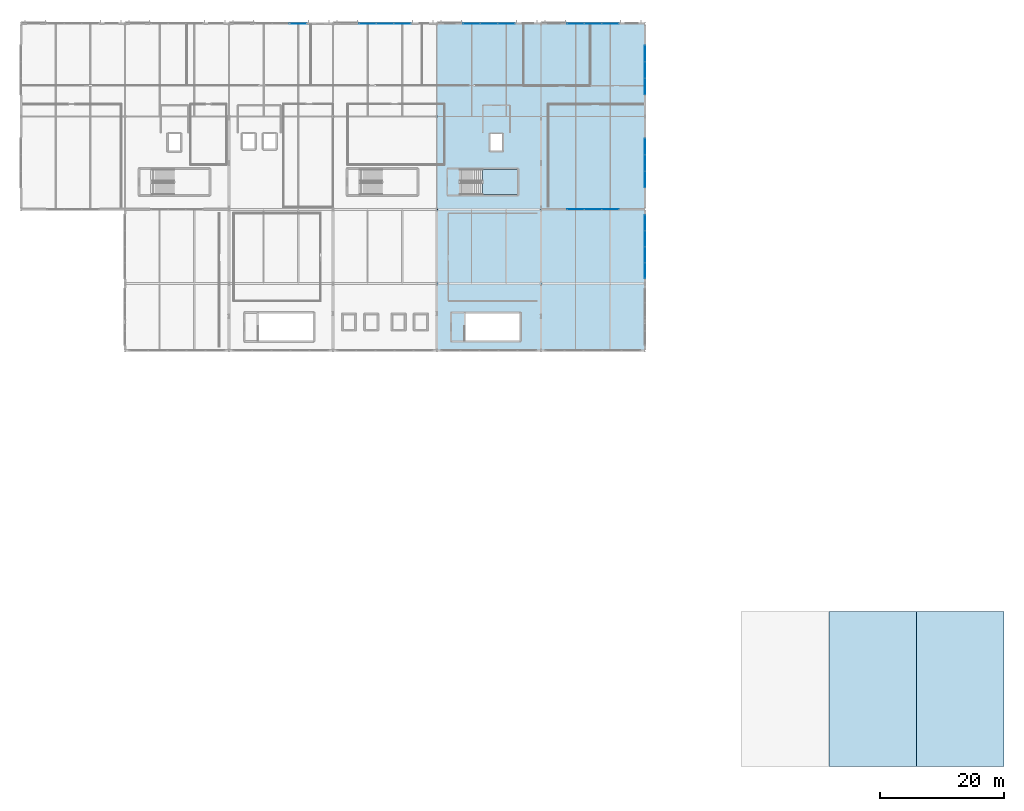
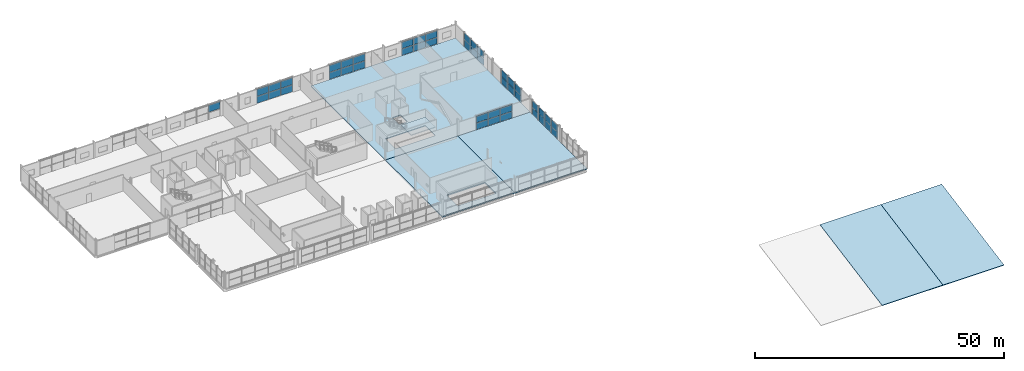
# One storey, part 28 of 39: 45 plates, 6 slabs, 9 elements without a shape of their own.
"""IFC4 building model written with IfcOpenShell, lengths in metres."""

from ifc_helpers import new_model, si_unit, direction, frame, origin, origin_2d, place, context, subcontext, project, spatial, polyline, rectangle, outline, extrude, material, layer, layer_set, type_object, element, aggregate, save


model = new_model("IFC4")

# Units and contexts
model_context = context("Model", 3, precision=1e-05, world=origin(), true_north=direction((0.0, 1.0)))
body_context = subcontext(model_context, "Body", "Model", "MODEL_VIEW")
ifc_project = project(units=[si_unit("LENGTHUNIT", "METRE"), si_unit("AREAUNIT", "SQUARE_METRE"), si_unit("VOLUMEUNIT", "CUBIC_METRE"), si_unit("PLANEANGLEUNIT", "RADIAN"), si_unit("MASSUNIT", "GRAM", prefix="KILO")], contexts=[model_context])

# Site, building, storey
site_placement = place(None, origin())
site = spatial("IfcSite", under=ifc_project, at=site_placement, CompositionType="ELEMENT")
building_placement = place(site_placement, origin())
building = spatial("IfcBuilding", under=site, at=building_placement, Name="Kimbaza Rail Terminus", CompositionType="ELEMENT")
storey_placement = place(building_placement, frame((0.0, 0.0, 16.800048828125)))
storey = spatial("IfcBuildingStorey", under=building, at=storey_placement, Name="L03", CompositionType="ELEMENT", Elevation=16.800048828125)

# Curtain wall, plates
ifc_material_1 = material(Name="Anodised aluminium framing and solar low-E glazing", Category="aluminium")
curtain_wall_type_1 = type_object("IfcCurtainWallType", Name="ARC-CW-BRG", PredefinedType="USERDEFINED", material=ifc_material_1)
curtain_wall_1_placement = place(storey_placement, origin())
curtain_wall_1 = element("IfcCurtainWall", 1, at=curtain_wall_1_placement, inside=storey, type_object=curtain_wall_type_1, Name="Over-Track Footbridge E Panoramic Curtain Wall 2", ObjectType="UNITISED CURTAIN WALL", PredefinedType="USERDEFINED")
ifc_material_2 = material(Name="Solar-control double low-E glazing", Category="glass")
ifc_layer_1 = layer(ifc_material_2, 0.030029296875)
ifc_layer_set_1 = layer_set([ifc_layer_1], Name="Solar-control double low-E glazing")
plate_type_1 = type_object("IfcPlateType", Name="ARC-CWP-03", PredefinedType="CURTAIN_PANEL", material=ifc_layer_set_1)
plate_1_placement = place(storey_placement, frame((156.0, 93.109619140625, 0.06787109375), z_axis=(0.0, 0.0, 1.0), x_axis=(0.0, 1.0, 0.0)))
plate_1 = element("IfcPlate", 2, at=plate_1_placement, type_object=plate_type_1, Name="CW-03 panel 1.1", PredefinedType="CURTAIN_PANEL", context=body_context, shape_type="SweptSolid", body=[
    extrude(rectangle(XDim=2.48291015625, YDim=0.030029296875, at=origin_2d()), origin(), (0.0, 0.0, 1.0), 1.623046875),
])
plate_2_placement = place(storey_placement, frame((156.0, 93.109619140625, 1.759033203125), z_axis=(0.0, 0.0, 1.0), x_axis=(0.0, 1.0, 0.0)))
plate_2 = element("IfcPlate", 3, at=plate_2_placement, type_object=plate_type_1, Name="CW-03 panel 1.2", PredefinedType="CURTAIN_PANEL", context=body_context, shape_type="SweptSolid", body=[
    extrude(rectangle(XDim=2.48291015625, YDim=0.030029296875, at=origin_2d()), origin(), (0.0, 0.0, 1.0), 1.623046875),
])
plate_3_placement = place(storey_placement, frame((156.0, 95.677490234375, 0.06787109375), z_axis=(0.0, 0.0, 1.0), x_axis=(0.0, 1.0, 0.0)))
plate_3 = element("IfcPlate", 4, at=plate_3_placement, type_object=plate_type_1, Name="CW-03 panel 2.1", PredefinedType="CURTAIN_PANEL", context=body_context, shape_type="SweptSolid", body=[
    extrude(rectangle(XDim=2.51708984375, YDim=0.030029296875, at=origin_2d()), origin(), (0.0, 0.0, 1.0), 1.623046875),
])
plate_4_placement = place(storey_placement, frame((156.0, 95.677490234375, 1.759033203125), z_axis=(0.0, 0.0, 1.0), x_axis=(0.0, 1.0, 0.0)))
plate_4 = element("IfcPlate", 5, at=plate_4_placement, type_object=plate_type_1, Name="CW-03 panel 2.2", PredefinedType="CURTAIN_PANEL", context=body_context, shape_type="SweptSolid", body=[
    extrude(rectangle(XDim=2.51708984375, YDim=0.030029296875, at=origin_2d()), origin(), (0.0, 0.0, 1.0), 1.623046875),
])
plate_5_placement = place(storey_placement, frame((156.0, 98.262451171875, 0.06787109375), z_axis=(0.0, 0.0, 1.0), x_axis=(0.0, 1.0, 0.0)))
plate_5 = element("IfcPlate", 6, at=plate_5_placement, type_object=plate_type_1, Name="CW-03 panel 3.1", PredefinedType="CURTAIN_PANEL", context=body_context, shape_type="SweptSolid", body=[
    extrude(rectangle(XDim=2.51708984375, YDim=0.030029296875, at=origin_2d()), origin(), (0.0, 0.0, 1.0), 1.623046875),
])
plate_6_placement = place(storey_placement, frame((156.0, 98.262451171875, 1.759033203125), z_axis=(0.0, 0.0, 1.0), x_axis=(0.0, 1.0, 0.0)))
plate_6 = element("IfcPlate", 7, at=plate_6_placement, type_object=plate_type_1, Name="CW-03 panel 3.2", PredefinedType="CURTAIN_PANEL", context=body_context, shape_type="SweptSolid", body=[
    extrude(rectangle(XDim=2.51708984375, YDim=0.030029296875, at=origin_2d()), origin(), (0.0, 0.0, 1.0), 1.623046875),
])
plate_7_placement = place(storey_placement, frame((156.0, 100.83056640625, 0.06787109375), z_axis=(0.0, 0.0, 1.0), x_axis=(0.0, 1.0, 0.0)))
plate_7 = element("IfcPlate", 8, at=plate_7_placement, type_object=plate_type_1, Name="CW-03 panel 4.1", PredefinedType="CURTAIN_PANEL", context=body_context, shape_type="SweptSolid", body=[
    extrude(rectangle(XDim=2.48291015625, YDim=0.030029296875, at=origin_2d()), origin(), (0.0, 0.0, 1.0), 1.623046875),
])
plate_8_placement = place(storey_placement, frame((156.0, 100.83056640625, 1.759033203125), z_axis=(0.0, 0.0, 1.0), x_axis=(0.0, 1.0, 0.0)))
plate_8 = element("IfcPlate", 9, at=plate_8_placement, type_object=plate_type_1, Name="CW-03 panel 4.2", PredefinedType="CURTAIN_PANEL", context=body_context, shape_type="SweptSolid", body=[
    extrude(rectangle(XDim=2.48291015625, YDim=0.030029296875, at=origin_2d()), origin(), (0.0, 0.0, 1.0), 1.623046875),
])
aggregate(curtain_wall_1, [plate_1, plate_2, plate_3, plate_4, plate_5, plate_6, plate_7, plate_8])

# Curtain wall, plate
ifc_material_3 = material(Name="Anodised aluminium framing and solar low-E glazing", Category="aluminium")
curtain_wall_type_2 = type_object("IfcCurtainWallType", Name="ARC-CW-OP2", PredefinedType="USERDEFINED", material=ifc_material_3)
curtain_wall_2_placement = place(storey_placement, origin())
curtain_wall_2 = element("IfcCurtainWall", 10, at=curtain_wall_2_placement, inside=storey, type_object=curtain_wall_type_2, Name="Operations North Curtain Wall L03 Bay 3", ObjectType="STICK CURTAIN WALL", PredefinedType="USERDEFINED")
ifc_material_4 = material(Name="Solar-control double low-E glazing", Category="glass")
ifc_layer_2 = layer(ifc_material_4, 0.02294921875)
ifc_layer_set_2 = layer_set([ifc_layer_2], Name="Solar-control double low-E glazing")
plate_type_2 = type_object("IfcPlateType", Name="ARC-CWP-06", PredefinedType="CURTAIN_PANEL", material=ifc_layer_set_2)
plate_9_placement = place(storey_placement, frame((99.985595703125, 133.0, 1.83154296875), z_axis=(0.0, 0.0, 1.0), x_axis=(1.0, 0.0, 0.0)))
plate_9 = element("IfcPlate", 11, at=plate_9_placement, type_object=plate_type_2, Name="CW-06 panel 3.2", PredefinedType="CURTAIN_PANEL", context=body_context, shape_type="SweptSolid", body=[
    extrude(rectangle(XDim=2.712890625, YDim=0.02294921875, at=origin_2d()), origin(), (0.0, 0.0, 1.0), 1.715576171875),
])
aggregate(curtain_wall_2, [plate_9])

# Curtain wall, plates
curtain_wall_3_placement = place(storey_placement, origin())
curtain_wall_3 = element("IfcCurtainWall", 12, at=curtain_wall_3_placement, inside=storey, type_object=curtain_wall_type_2, Name="Operations North Curtain Wall L03 Bay 4", ObjectType="STICK CURTAIN WALL", PredefinedType="USERDEFINED")
plate_10_placement = place(storey_placement, frame((111.214599609375, 133.0, 0.05810546875), z_axis=(0.0, 0.0, 1.0), x_axis=(1.0, 0.0, 0.0)))
plate_10 = element("IfcPlate", 13, at=plate_10_placement, type_object=plate_type_2, Name="CW-06 panel 1.1", PredefinedType="CURTAIN_PANEL", context=body_context, shape_type="SweptSolid", body=[
    extrude(rectangle(XDim=2.712890625, YDim=0.02294921875, at=origin_2d()), origin(), (0.0, 0.0, 1.0), 1.715576171875),
])
plate_11_placement = place(storey_placement, frame((111.214599609375, 133.0, 1.83154296875), z_axis=(0.0, 0.0, 1.0), x_axis=(1.0, 0.0, 0.0)))
plate_11 = element("IfcPlate", 14, at=plate_11_placement, type_object=plate_type_2, Name="CW-06 panel 1.2", PredefinedType="CURTAIN_PANEL", context=body_context, shape_type="SweptSolid", body=[
    extrude(rectangle(XDim=2.712890625, YDim=0.02294921875, at=origin_2d()), origin(), (0.0, 0.0, 1.0), 1.715576171875),
])
plate_12_placement = place(storey_placement, frame((114.0, 133.0, 0.05810546875), z_axis=(0.0, 0.0, 1.0), x_axis=(1.0, 0.0, 0.0)))
plate_12 = element("IfcPlate", 15, at=plate_12_placement, type_object=plate_type_2, Name="CW-06 panel 2.1", PredefinedType="CURTAIN_PANEL", context=body_context, shape_type="SweptSolid", body=[
    extrude(rectangle(XDim=2.741943359375, YDim=0.02294921875, at=origin_2d()), origin(), (0.0, 0.0, 1.0), 1.715576171875),
])
plate_13_placement = place(storey_placement, frame((114.0, 133.0, 1.83154296875), z_axis=(0.0, 0.0, 1.0), x_axis=(1.0, 0.0, 0.0)))
plate_13 = element("IfcPlate", 16, at=plate_13_placement, type_object=plate_type_2, Name="CW-06 panel 2.2", PredefinedType="CURTAIN_PANEL", context=body_context, shape_type="SweptSolid", body=[
    extrude(rectangle(XDim=2.741943359375, YDim=0.02294921875, at=origin_2d()), origin(), (0.0, 0.0, 1.0), 1.715576171875),
])
plate_14_placement = place(storey_placement, frame((116.785400390625, 133.0, 0.05810546875), z_axis=(0.0, 0.0, 1.0), x_axis=(1.0, 0.0, 0.0)))
plate_14 = element("IfcPlate", 17, at=plate_14_placement, type_object=plate_type_2, Name="CW-06 panel 3.1", PredefinedType="CURTAIN_PANEL", context=body_context, shape_type="SweptSolid", body=[
    extrude(rectangle(XDim=2.712890625, YDim=0.02294921875, at=origin_2d()), origin(), (0.0, 0.0, 1.0), 1.715576171875),
])
plate_15_placement = place(storey_placement, frame((116.785400390625, 133.0, 1.83154296875), z_axis=(0.0, 0.0, 1.0), x_axis=(1.0, 0.0, 0.0)))
plate_15 = element("IfcPlate", 18, at=plate_15_placement, type_object=plate_type_2, Name="CW-06 panel 3.2", PredefinedType="CURTAIN_PANEL", context=body_context, shape_type="SweptSolid", body=[
    extrude(rectangle(XDim=2.712890625, YDim=0.02294921875, at=origin_2d()), origin(), (0.0, 0.0, 1.0), 1.715576171875),
])
aggregate(curtain_wall_3, [plate_10, plate_11, plate_12, plate_13, plate_14, plate_15])

curtain_wall_4_placement = place(storey_placement, origin())
curtain_wall_4 = element("IfcCurtainWall", 19, at=curtain_wall_4_placement, inside=storey, type_object=curtain_wall_type_2, Name="Operations North Curtain Wall L03 Bay 5", ObjectType="STICK CURTAIN WALL", PredefinedType="USERDEFINED")
plate_16_placement = place(storey_placement, frame((128.014404296875, 133.0, 0.05810546875), z_axis=(0.0, 0.0, 1.0), x_axis=(1.0, 0.0, 0.0)))
plate_16 = element("IfcPlate", 20, at=plate_16_placement, type_object=plate_type_2, Name="CW-06 panel 1.1", PredefinedType="CURTAIN_PANEL", context=body_context, shape_type="SweptSolid", body=[
    extrude(rectangle(XDim=2.712890625, YDim=0.02294921875, at=origin_2d()), origin(), (0.0, 0.0, 1.0), 1.715576171875),
])
plate_17_placement = place(storey_placement, frame((128.014404296875, 133.0, 1.83154296875), z_axis=(0.0, 0.0, 1.0), x_axis=(1.0, 0.0, 0.0)))
plate_17 = element("IfcPlate", 21, at=plate_17_placement, type_object=plate_type_2, Name="CW-06 panel 1.2", PredefinedType="CURTAIN_PANEL", context=body_context, shape_type="SweptSolid", body=[
    extrude(rectangle(XDim=2.712890625, YDim=0.02294921875, at=origin_2d()), origin(), (0.0, 0.0, 1.0), 1.715576171875),
])
plate_18_placement = place(storey_placement, frame((130.800048828125, 133.0, 0.05810546875), z_axis=(0.0, 0.0, 1.0), x_axis=(1.0, 0.0, 0.0)))
plate_18 = element("IfcPlate", 22, at=plate_18_placement, type_object=plate_type_2, Name="CW-06 panel 2.1", PredefinedType="CURTAIN_PANEL", context=body_context, shape_type="SweptSolid", body=[
    extrude(rectangle(XDim=2.741943359375, YDim=0.02294921875, at=origin_2d()), origin(), (0.0, 0.0, 1.0), 1.715576171875),
])
plate_19_placement = place(storey_placement, frame((130.800048828125, 133.0, 1.83154296875), z_axis=(0.0, 0.0, 1.0), x_axis=(1.0, 0.0, 0.0)))
plate_19 = element("IfcPlate", 23, at=plate_19_placement, type_object=plate_type_2, Name="CW-06 panel 2.2", PredefinedType="CURTAIN_PANEL", context=body_context, shape_type="SweptSolid", body=[
    extrude(rectangle(XDim=2.741943359375, YDim=0.02294921875, at=origin_2d()), origin(), (0.0, 0.0, 1.0), 1.715576171875),
])
plate_20_placement = place(storey_placement, frame((133.58544921875, 133.0, 0.05810546875), z_axis=(0.0, 0.0, 1.0), x_axis=(1.0, 0.0, 0.0)))
plate_20 = element("IfcPlate", 24, at=plate_20_placement, type_object=plate_type_2, Name="CW-06 panel 3.1", PredefinedType="CURTAIN_PANEL", context=body_context, shape_type="SweptSolid", body=[
    extrude(rectangle(XDim=2.712890625, YDim=0.02294921875, at=origin_2d()), origin(), (0.0, 0.0, 1.0), 1.715576171875),
])
plate_21_placement = place(storey_placement, frame((133.58544921875, 133.0, 1.83154296875), z_axis=(0.0, 0.0, 1.0), x_axis=(1.0, 0.0, 0.0)))
plate_21 = element("IfcPlate", 25, at=plate_21_placement, type_object=plate_type_2, Name="CW-06 panel 3.2", PredefinedType="CURTAIN_PANEL", context=body_context, shape_type="SweptSolid", body=[
    extrude(rectangle(XDim=2.712890625, YDim=0.02294921875, at=origin_2d()), origin(), (0.0, 0.0, 1.0), 1.715576171875),
])
aggregate(curtain_wall_4, [plate_16, plate_17, plate_18, plate_19, plate_20, plate_21])

curtain_wall_5_placement = place(storey_placement, origin())
curtain_wall_5 = element("IfcCurtainWall", 26, at=curtain_wall_5_placement, inside=storey, type_object=curtain_wall_type_2, Name="Operations North Curtain Wall L03 Bay 6", ObjectType="STICK CURTAIN WALL", PredefinedType="USERDEFINED")
plate_22_placement = place(storey_placement, frame((144.814453125, 133.0, 0.05810546875), z_axis=(0.0, 0.0, 1.0), x_axis=(1.0, 0.0, 0.0)))
plate_22 = element("IfcPlate", 27, at=plate_22_placement, type_object=plate_type_2, Name="CW-06 panel 1.1", PredefinedType="CURTAIN_PANEL", context=body_context, shape_type="SweptSolid", body=[
    extrude(rectangle(XDim=2.712890625, YDim=0.02294921875, at=origin_2d()), origin(), (0.0, 0.0, 1.0), 1.610595703125),
])
plate_23_placement = place(storey_placement, frame((144.814453125, 133.0, 1.7265625), z_axis=(0.0, 0.0, 1.0), x_axis=(1.0, 0.0, 0.0)))
plate_23 = element("IfcPlate", 28, at=plate_23_placement, type_object=plate_type_2, Name="CW-06 panel 1.2", PredefinedType="CURTAIN_PANEL", context=body_context, shape_type="SweptSolid", body=[
    extrude(rectangle(XDim=2.712890625, YDim=0.02294921875, at=origin_2d()), origin(), (0.0, 0.0, 1.0), 1.610595703125),
])
plate_24_placement = place(storey_placement, frame((147.60009765625, 133.0, 0.05810546875), z_axis=(0.0, 0.0, 1.0), x_axis=(1.0, 0.0, 0.0)))
plate_24 = element("IfcPlate", 29, at=plate_24_placement, type_object=plate_type_2, Name="CW-06 panel 2.1", PredefinedType="CURTAIN_PANEL", context=body_context, shape_type="SweptSolid", body=[
    extrude(rectangle(XDim=2.741943359375, YDim=0.02294921875, at=origin_2d()), origin(), (0.0, 0.0, 1.0), 1.610595703125),
])
plate_25_placement = place(storey_placement, frame((147.60009765625, 133.0, 1.7265625), z_axis=(0.0, 0.0, 1.0), x_axis=(1.0, 0.0, 0.0)))
plate_25 = element("IfcPlate", 30, at=plate_25_placement, type_object=plate_type_2, Name="CW-06 panel 2.2", PredefinedType="CURTAIN_PANEL", context=body_context, shape_type="SweptSolid", body=[
    extrude(rectangle(XDim=2.741943359375, YDim=0.02294921875, at=origin_2d()), origin(), (0.0, 0.0, 1.0), 1.610595703125),
])
plate_26_placement = place(storey_placement, frame((150.385498046875, 133.0, 0.05810546875), z_axis=(0.0, 0.0, 1.0), x_axis=(1.0, 0.0, 0.0)))
plate_26 = element("IfcPlate", 31, at=plate_26_placement, type_object=plate_type_2, Name="CW-06 panel 3.1", PredefinedType="CURTAIN_PANEL", context=body_context, shape_type="SweptSolid", body=[
    extrude(rectangle(XDim=2.712890625, YDim=0.02294921875, at=origin_2d()), origin(), (0.0, 0.0, 1.0), 1.610595703125),
])
plate_27_placement = place(storey_placement, frame((150.385498046875, 133.0, 1.7265625), z_axis=(0.0, 0.0, 1.0), x_axis=(1.0, 0.0, 0.0)))
plate_27 = element("IfcPlate", 32, at=plate_27_placement, type_object=plate_type_2, Name="CW-06 panel 3.2", PredefinedType="CURTAIN_PANEL", context=body_context, shape_type="SweptSolid", body=[
    extrude(rectangle(XDim=2.712890625, YDim=0.02294921875, at=origin_2d()), origin(), (0.0, 0.0, 1.0), 1.610595703125),
])
aggregate(curtain_wall_5, [plate_22, plate_23, plate_24, plate_25, plate_26, plate_27])

curtain_wall_6_placement = place(storey_placement, origin())
curtain_wall_6 = element("IfcCurtainWall", 33, at=curtain_wall_6_placement, inside=storey, type_object=curtain_wall_type_2, Name="Operations South Curtain Wall L03 Bay 6", ObjectType="STICK CURTAIN WALL", PredefinedType="USERDEFINED")
plate_28_placement = place(storey_placement, frame((144.814453125, 103.0, 0.05810546875), z_axis=(0.0, 0.0, 1.0), x_axis=(1.0, 0.0, 0.0)))
plate_28 = element("IfcPlate", 34, at=plate_28_placement, type_object=plate_type_2, Name="CW-06 panel 1.1", PredefinedType="CURTAIN_PANEL", context=body_context, shape_type="SweptSolid", body=[
    extrude(rectangle(XDim=2.712890625, YDim=0.02294921875, at=origin_2d()), origin(), (0.0, 0.0, 1.0), 1.610595703125),
])
plate_29_placement = place(storey_placement, frame((144.814453125, 103.0, 1.7265625), z_axis=(0.0, 0.0, 1.0), x_axis=(1.0, 0.0, 0.0)))
plate_29 = element("IfcPlate", 35, at=plate_29_placement, type_object=plate_type_2, Name="CW-06 panel 1.2", PredefinedType="CURTAIN_PANEL", context=body_context, shape_type="SweptSolid", body=[
    extrude(rectangle(XDim=2.712890625, YDim=0.02294921875, at=origin_2d()), origin(), (0.0, 0.0, 1.0), 1.610595703125),
])
plate_30_placement = place(storey_placement, frame((147.60009765625, 103.0, 0.05810546875), z_axis=(0.0, 0.0, 1.0), x_axis=(1.0, 0.0, 0.0)))
plate_30 = element("IfcPlate", 36, at=plate_30_placement, type_object=plate_type_2, Name="CW-06 panel 2.1", PredefinedType="CURTAIN_PANEL", context=body_context, shape_type="SweptSolid", body=[
    extrude(rectangle(XDim=2.741943359375, YDim=0.02294921875, at=origin_2d()), origin(), (0.0, 0.0, 1.0), 1.610595703125),
])
plate_31_placement = place(storey_placement, frame((147.60009765625, 103.0, 1.7265625), z_axis=(0.0, 0.0, 1.0), x_axis=(1.0, 0.0, 0.0)))
plate_31 = element("IfcPlate", 37, at=plate_31_placement, type_object=plate_type_2, Name="CW-06 panel 2.2", PredefinedType="CURTAIN_PANEL", context=body_context, shape_type="SweptSolid", body=[
    extrude(rectangle(XDim=2.741943359375, YDim=0.02294921875, at=origin_2d()), origin(), (0.0, 0.0, 1.0), 1.610595703125),
])
plate_32_placement = place(storey_placement, frame((150.385498046875, 103.0, 0.05810546875), z_axis=(0.0, 0.0, 1.0), x_axis=(1.0, 0.0, 0.0)))
plate_32 = element("IfcPlate", 38, at=plate_32_placement, type_object=plate_type_2, Name="CW-06 panel 3.1", PredefinedType="CURTAIN_PANEL", context=body_context, shape_type="SweptSolid", body=[
    extrude(rectangle(XDim=2.712890625, YDim=0.02294921875, at=origin_2d()), origin(), (0.0, 0.0, 1.0), 1.610595703125),
])
plate_33_placement = place(storey_placement, frame((150.385498046875, 103.0, 1.7265625), z_axis=(0.0, 0.0, 1.0), x_axis=(1.0, 0.0, 0.0)))
plate_33 = element("IfcPlate", 39, at=plate_33_placement, type_object=plate_type_2, Name="CW-06 panel 3.2", PredefinedType="CURTAIN_PANEL", context=body_context, shape_type="SweptSolid", body=[
    extrude(rectangle(XDim=2.712890625, YDim=0.02294921875, at=origin_2d()), origin(), (0.0, 0.0, 1.0), 1.610595703125),
])
aggregate(curtain_wall_6, [plate_28, plate_29, plate_30, plate_31, plate_32, plate_33])

curtain_wall_7_placement = place(storey_placement, origin())
curtain_wall_7 = element("IfcCurtainWall", 40, at=curtain_wall_7_placement, inside=storey, type_object=curtain_wall_type_2, Name="Operations E Curtain Wall L03.1", ObjectType="STICK CURTAIN WALL", PredefinedType="USERDEFINED")
plate_34_placement = place(storey_placement, frame((156.0, 107.847900390625, 0.05810546875), z_axis=(0.0, 0.0, 1.0), x_axis=(0.0, 1.0, 0.0)))
plate_34 = element("IfcPlate", 41, at=plate_34_placement, type_object=plate_type_2, Name="CW-06 panel 1.1", PredefinedType="CURTAIN_PANEL", context=body_context, shape_type="SweptSolid", body=[
    extrude(rectangle(XDim=2.57958984375, YDim=0.02294921875, at=origin_2d()), origin(), (0.0, 0.0, 1.0), 1.660400390625),
])
plate_35_placement = place(storey_placement, frame((156.0, 107.847900390625, 1.7763671875), z_axis=(0.0, 0.0, 1.0), x_axis=(0.0, 1.0, 0.0)))
plate_35 = element("IfcPlate", 42, at=plate_35_placement, type_object=plate_type_2, Name="CW-06 panel 1.2", PredefinedType="CURTAIN_PANEL", context=body_context, shape_type="SweptSolid", body=[
    extrude(rectangle(XDim=2.57958984375, YDim=0.02294921875, at=origin_2d()), origin(), (0.0, 0.0, 1.0), 1.660400390625),
])
plate_36_placement = place(storey_placement, frame((156.0, 110.5, 0.05810546875), z_axis=(0.0, 0.0, 1.0), x_axis=(0.0, 1.0, 0.0)))
plate_36 = element("IfcPlate", 43, at=plate_36_placement, type_object=plate_type_2, Name="CW-06 panel 2.1", PredefinedType="CURTAIN_PANEL", context=body_context, shape_type="SweptSolid", body=[
    extrude(rectangle(XDim=2.608642578125, YDim=0.02294921875, at=origin_2d()), origin(), (0.0, 0.0, 1.0), 1.660400390625),
])
plate_37_placement = place(storey_placement, frame((156.0, 110.5, 1.7763671875), z_axis=(0.0, 0.0, 1.0), x_axis=(0.0, 1.0, 0.0)))
plate_37 = element("IfcPlate", 44, at=plate_37_placement, type_object=plate_type_2, Name="CW-06 panel 2.2", PredefinedType="CURTAIN_PANEL", context=body_context, shape_type="SweptSolid", body=[
    extrude(rectangle(XDim=2.608642578125, YDim=0.02294921875, at=origin_2d()), origin(), (0.0, 0.0, 1.0), 1.660400390625),
])
plate_38_placement = place(storey_placement, frame((156.0, 113.152099609375, 0.05810546875), z_axis=(0.0, 0.0, 1.0), x_axis=(0.0, 1.0, 0.0)))
plate_38 = element("IfcPlate", 45, at=plate_38_placement, type_object=plate_type_2, Name="CW-06 panel 3.1", PredefinedType="CURTAIN_PANEL", context=body_context, shape_type="SweptSolid", body=[
    extrude(rectangle(XDim=2.57958984375, YDim=0.02294921875, at=origin_2d()), origin(), (0.0, 0.0, 1.0), 1.660400390625),
])
plate_39_placement = place(storey_placement, frame((156.0, 113.152099609375, 1.7763671875), z_axis=(0.0, 0.0, 1.0), x_axis=(0.0, 1.0, 0.0)))
plate_39 = element("IfcPlate", 46, at=plate_39_placement, type_object=plate_type_2, Name="CW-06 panel 3.2", PredefinedType="CURTAIN_PANEL", context=body_context, shape_type="SweptSolid", body=[
    extrude(rectangle(XDim=2.57958984375, YDim=0.02294921875, at=origin_2d()), origin(), (0.0, 0.0, 1.0), 1.660400390625),
])
aggregate(curtain_wall_7, [plate_34, plate_35, plate_36, plate_37, plate_38, plate_39])

curtain_wall_8_placement = place(storey_placement, origin())
curtain_wall_8 = element("IfcCurtainWall", 47, at=curtain_wall_8_placement, inside=storey, type_object=curtain_wall_type_2, Name="Operations E Curtain Wall L03.2", ObjectType="STICK CURTAIN WALL", PredefinedType="USERDEFINED")
plate_40_placement = place(storey_placement, frame((156.0, 122.847900390625, 0.05810546875), z_axis=(0.0, 0.0, 1.0), x_axis=(0.0, 1.0, 0.0)))
plate_40 = element("IfcPlate", 48, at=plate_40_placement, type_object=plate_type_2, Name="CW-06 panel 1.1", PredefinedType="CURTAIN_PANEL", context=body_context, shape_type="SweptSolid", body=[
    extrude(rectangle(XDim=2.57958984375, YDim=0.02294921875, at=origin_2d()), origin(), (0.0, 0.0, 1.0), 1.660400390625),
])
plate_41_placement = place(storey_placement, frame((156.0, 122.847900390625, 1.7763671875), z_axis=(0.0, 0.0, 1.0), x_axis=(0.0, 1.0, 0.0)))
plate_41 = element("IfcPlate", 49, at=plate_41_placement, type_object=plate_type_2, Name="CW-06 panel 1.2", PredefinedType="CURTAIN_PANEL", context=body_context, shape_type="SweptSolid", body=[
    extrude(rectangle(XDim=2.57958984375, YDim=0.02294921875, at=origin_2d()), origin(), (0.0, 0.0, 1.0), 1.660400390625),
])
plate_42_placement = place(storey_placement, frame((156.0, 125.5, 0.05810546875), z_axis=(0.0, 0.0, 1.0), x_axis=(0.0, 1.0, 0.0)))
plate_42 = element("IfcPlate", 50, at=plate_42_placement, type_object=plate_type_2, Name="CW-06 panel 2.1", PredefinedType="CURTAIN_PANEL", context=body_context, shape_type="SweptSolid", body=[
    extrude(rectangle(XDim=2.608642578125, YDim=0.02294921875, at=origin_2d()), origin(), (0.0, 0.0, 1.0), 1.660400390625),
])
plate_43_placement = place(storey_placement, frame((156.0, 125.5, 1.7763671875), z_axis=(0.0, 0.0, 1.0), x_axis=(0.0, 1.0, 0.0)))
plate_43 = element("IfcPlate", 51, at=plate_43_placement, type_object=plate_type_2, Name="CW-06 panel 2.2", PredefinedType="CURTAIN_PANEL", context=body_context, shape_type="SweptSolid", body=[
    extrude(rectangle(XDim=2.608642578125, YDim=0.02294921875, at=origin_2d()), origin(), (0.0, 0.0, 1.0), 1.660400390625),
])
plate_44_placement = place(storey_placement, frame((156.0, 128.152099609375, 0.05810546875), z_axis=(0.0, 0.0, 1.0), x_axis=(0.0, 1.0, 0.0)))
plate_44 = element("IfcPlate", 52, at=plate_44_placement, type_object=plate_type_2, Name="CW-06 panel 3.1", PredefinedType="CURTAIN_PANEL", context=body_context, shape_type="SweptSolid", body=[
    extrude(rectangle(XDim=2.57958984375, YDim=0.02294921875, at=origin_2d()), origin(), (0.0, 0.0, 1.0), 1.660400390625),
])
plate_45_placement = place(storey_placement, frame((156.0, 128.152099609375, 1.7763671875), z_axis=(0.0, 0.0, 1.0), x_axis=(0.0, 1.0, 0.0)))
plate_45 = element("IfcPlate", 53, at=plate_45_placement, type_object=plate_type_2, Name="CW-06 panel 3.2", PredefinedType="CURTAIN_PANEL", context=body_context, shape_type="SweptSolid", body=[
    extrude(rectangle(XDim=2.57958984375, YDim=0.02294921875, at=origin_2d()), origin(), (0.0, 0.0, 1.0), 1.660400390625),
])
aggregate(curtain_wall_8, [plate_40, plate_41, plate_42, plate_43, plate_44, plate_45])

# Slabs
ifc_material_5 = material(Name="Concrete C40/50", Category="concrete")
ifc_layer_3 = layer(ifc_material_5, 0.280029296875)
ifc_layer_set_3 = layer_set([ifc_layer_3], Name="Concrete C40/50")
slab_type_1 = type_object("IfcSlabType", Name="STR-SL-BRG280", PredefinedType="FLOOR", material=ifc_layer_set_3)
slab_1_placement = place(storey_placement, frame((0.0, 0.0, -0.280029296875)))
element("IfcSlab", 54, at=slab_1_placement, inside=storey, type_object=slab_type_1, Name="L03 Over-Track Footbridge Concourse Slab Bay 4", PredefinedType="FLOOR", context=body_context, shape_type="SweptSolid", body=[
    extrude(outline(polyline([(122.39990234375, 80.199951171875), (139.199951171875, 80.199951171875), (139.199951171875, 103.0), (122.39990234375, 103.0), (122.39990234375, 80.199951171875)]), holes=[polyline([(126.925048828125, 81.800048828125), (135.800048828125, 81.800048828125), (135.800048828125, 86.199951171875), (126.925048828125, 86.199951171875), (126.925048828125, 81.800048828125)])]), origin(), (0.0, 0.0, 1.0), 0.280029296875),
])
slab_2_placement = place(storey_placement, frame((0.0, 0.0, -0.280029296875)))
element("IfcSlab", 55, at=slab_2_placement, inside=storey, type_object=slab_type_1, Name="L03 Over-Track Footbridge Concourse Slab Bay 5", PredefinedType="FLOOR", context=body_context, shape_type="SweptSolid", body=[
    extrude(outline(polyline([(139.199951171875, 80.199951171875), (156.0, 80.199951171875), (156.0, 103.0), (139.199951171875, 103.0), (139.199951171875, 80.199951171875)])), origin(), (0.0, 0.0, 1.0), 0.280029296875),
])

# Stair, slab
ifc_material_6 = material(Name="Concrete C40/50", Category="concrete")
stair_type = type_object("IfcStairType", Name="ARC-STR-03", PredefinedType="HALF_TURN_STAIR", material=ifc_material_6)
stair_placement = place(storey_placement, origin())
stair = element("IfcStair", 56, at=stair_placement, inside=storey, type_object=stair_type, Name="L03 Operations East Exit Stair", PredefinedType="HALF_TURN_STAIR")
ifc_material_7 = material(Name="Concrete C40/50", Category="concrete")
ifc_layer_4 = layer(ifc_material_7, 0.199951171875)
ifc_layer_set_4 = layer_set([ifc_layer_4], Name="Concrete C40/50")
slab_type_2 = type_object("IfcSlabType", Name="STR-SL-LND200", PredefinedType="LANDING", material=ifc_layer_set_4)
slab_3_placement = place(storey_placement, frame((0.0, 0.0, 1.89990234375)))
slab_3 = element("IfcSlab", 57, at=slab_3_placement, type_object=slab_type_2, Name="ST-E1 landing 1", PredefinedType="LANDING", context=body_context, shape_type="SweptSolid", body=[
    extrude(outline(polyline([(129.75, 105.39990234375), (135.39990234375, 105.39990234375), (135.39990234375, 109.43994140625), (129.75, 109.43994140625), (129.75, 105.39990234375)])), origin(), (0.0, 0.0, 1.0), 0.199951171875),
])
aggregate(stair, [slab_3])

# Slabs
ifc_material_8 = material(Name="Concrete C40/50", Category="concrete")
ifc_layer_5 = layer(ifc_material_8, 0.159912109375)
ifc_layer_set_5 = layer_set([ifc_layer_5], Name="Concrete C40/50")
slab_type_3 = type_object("IfcSlabType", Name="STR-SL-RF160", PredefinedType="ROOF", material=ifc_layer_set_5)
slab_4_placement = place(storey_placement, frame((185.699951171875, 13.0, -3.25), z_axis=(0.0, -0.182860006491, 0.983138961707), x_axis=(1.0, 0.0, 0.0)))
element("IfcSlab", 58, at=slab_4_placement, inside=storey, type_object=slab_type_3, Name="Retail Pavilion Mono-Pitch Tropical Roof Bay 2", PredefinedType="ROOF", context=body_context, shape_type="SweptSolid", body=[
    extrude(outline(polyline([(0.0, 0.0), (14.150146484375, 0.0), (14.150146484375, 25.428755215433018), (0.0, 25.428755215433018), (0.0, 0.0)])), origin(), (0.0, 0.0, -1.0), 0.159912109375),
])
slab_5_placement = place(storey_placement, frame((199.85009765625, 13.0, -3.25), z_axis=(0.0, -0.182860006491, 0.983138961707), x_axis=(1.0, 0.0, 0.0)))
element("IfcSlab", 59, at=slab_5_placement, inside=storey, type_object=slab_type_3, Name="Retail Pavilion Mono-Pitch Tropical Roof Bay 3", PredefinedType="ROOF", context=body_context, shape_type="SweptSolid", body=[
    extrude(outline(polyline([(0.0, 0.0), (14.14990234375, 0.0), (14.14990234375, 25.428755215433014), (0.0, 25.428755215433014), (0.0, 0.0)])), origin(), (0.0, 0.0, -1.0), 0.159912109375),
])
ifc_material_9 = material(Name="Concrete C40/50", Category="concrete")
ifc_layer_6 = layer(ifc_material_9, 0.199951171875)
ifc_layer_set_6 = layer_set([ifc_layer_6], Name="Concrete C40/50")
slab_type_4 = type_object("IfcSlabType", Name="STR-SL-UPP200", PredefinedType="FLOOR", material=ifc_layer_set_6)
slab_6_placement = place(storey_placement, frame((0.0, 0.0, -0.199951171875)))
element("IfcSlab", 60, at=slab_6_placement, inside=storey, type_object=slab_type_4, Name="Operations Wing L03 Slab Zone 3", PredefinedType="FLOOR", context=body_context, shape_type="SweptSolid", body=[
    extrude(outline(polyline([(122.39990234375, 103.0), (156.0, 103.0), (156.0, 133.0), (122.39990234375, 133.0), (122.39990234375, 103.0)]), holes=[polyline([(126.14501953125, 105.39990234375), (135.39990234375, 105.39990234375), (135.39990234375, 109.43994140625), (126.14501953125, 109.43994140625), (126.14501953125, 105.39990234375)]), polyline([(131.050048828125, 112.449951171875), (132.949951171875, 112.449951171875), (132.949951171875, 115.14990234375), (131.050048828125, 115.14990234375), (131.050048828125, 112.449951171875)])]), origin(), (0.0, 0.0, 1.0), 0.199951171875),
])

save(model, "model.ifc")
